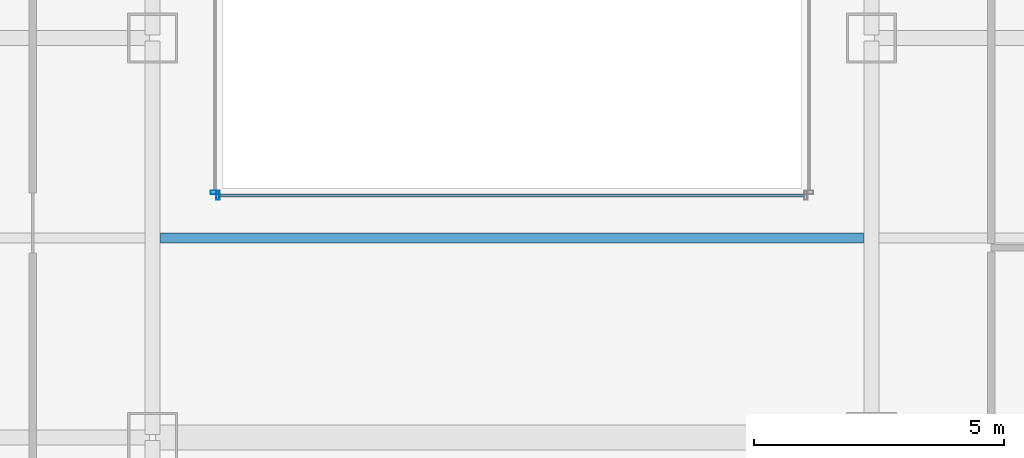
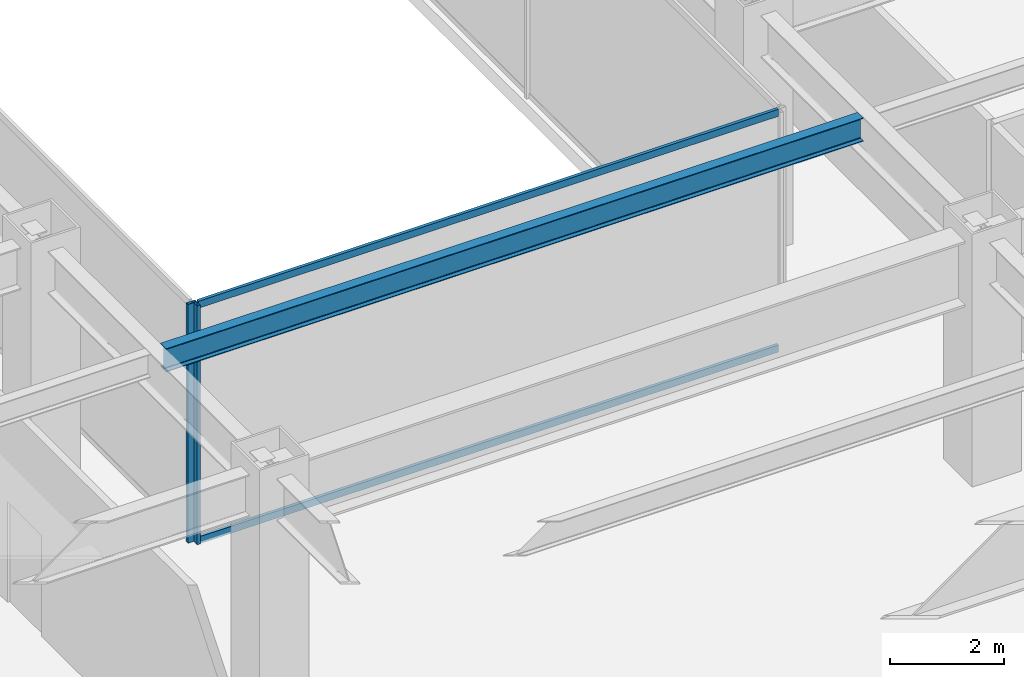
# One storey, part 12 of 51: 4 members, 1 beam, 2 elements without a shape of their own.
"""IFC4 building model written with IfcOpenShell, lengths in metres."""

from ifc_helpers import new_model, si_unit, direction, frame, origin, origin_2d, place, context, subcontext, project, spatial, hollow_rectangle, i_section, extrude, material, material_profile, profile_set, type_object, element, aggregate, save


model = new_model("IFC4")

# Units and contexts
model_context = context("Model", 3, precision=1e-05, world=origin(), true_north=direction((0.0, 1.0)))
body_context = subcontext(model_context, "Body", "Model", "MODEL_VIEW")
ifc_project = project(units=[si_unit("LENGTHUNIT", "METRE"), si_unit("AREAUNIT", "SQUARE_METRE"), si_unit("VOLUMEUNIT", "CUBIC_METRE"), si_unit("PLANEANGLEUNIT", "RADIAN"), si_unit("MASSUNIT", "GRAM", prefix="KILO")], contexts=[model_context])

# Site, building, storey
site_placement = place(None, origin())
site = spatial("IfcSite", under=ifc_project, at=site_placement, CompositionType="ELEMENT")
building_placement = place(site_placement, origin())
building = spatial("IfcBuilding", under=site, at=building_placement, Name="Saevonmaru Cultural Tower", CompositionType="ELEMENT")
storey_placement = place(building_placement, frame((0.0, 0.0, 6.0)))
storey = spatial("IfcBuildingStorey", under=building, at=storey_placement, Name="L01", CompositionType="ELEMENT", Elevation=6.0)

# Beam
ifc_material_1 = material(Name="Steel SM355", Category="steel")
ifc_material_profile_1 = material_profile(ifc_material_1, i_section(OverallWidth=0.199951171875, OverallDepth=0.5, WebThickness=0.010009765625, FlangeThickness=0.01611328125, FilletRadius=0.02001953125, at=origin_2d()), Name="H-500x200x10x16")
ifc_profile_set_1 = profile_set([ifc_material_profile_1], Name="Steel SM355")
beam_type = type_object("IfcBeamType", Name="BM-J-H500", PredefinedType="JOIST", material=ifc_profile_set_1)
beam_placement = place(storey_placement, frame((22.9580078125, 20.0, 4.85009765625), z_axis=(1.0, 0.0, 0.0), x_axis=(0.0, 1.0, 0.0)))
element("IfcBeam", 1, at=beam_placement, inside=storey, type_object=beam_type, Name="L01 Secondary Floor Joist JC-2", PredefinedType="JOIST", context=body_context, shape_type="SweptSolid", body=[
    extrude(i_section(OverallWidth=0.199951171875, OverallDepth=0.5, WebThickness=0.010009765625, FlangeThickness=0.01611328125, FilletRadius=0.02001953125, at=origin_2d()), origin(), (0.0, 0.0, 1.0), 14.083984375),
])

# Curtain wall, member
ifc_material_2 = material(Name="Satin Bronze Anodised Aluminium", Category="aluminium")
curtain_wall_type = type_object("IfcCurtainWallType", Name="CW-ATR-GLZ", PredefinedType="NOTDEFINED", material=ifc_material_2)
curtain_wall_1_placement = place(storey_placement, origin())
curtain_wall_1 = element("IfcCurtainWall", 2, at=curtain_wall_1_placement, inside=storey, type_object=curtain_wall_type, Name="L01 Vertical Atrium Glazed Smoke Screen 1", PredefinedType="NOTDEFINED")
ifc_material_profile_2 = material_profile(ifc_material_2, hollow_rectangle(XDim=0.06494140625, YDim=0.179931640625, WallThickness=0.00390625, at=origin_2d()), Name="ALU-MULL-180x65x4")
ifc_profile_set_2 = profile_set([ifc_material_profile_2], Name="Satin Bronze Anodised Aluminium")
member_type_1 = type_object("IfcMemberType", Name="ML-CW-INT-180x65", PredefinedType="MULLION", material=ifc_profile_set_2)
member_1_placement = place(storey_placement, frame((24.110107421875, 20.85009765625, 0.0), z_axis=(0.0, 0.0, 1.0), x_axis=(1.0, 0.0, 0.0)))
member_1 = element("IfcMember", 3, at=member_1_placement, type_object=member_type_1, Name="CW-ATR-L01-1 mullion 1", PredefinedType="MULLION", context=body_context, shape_type="SweptSolid", body=[
    extrude(hollow_rectangle(XDim=0.06494140625, YDim=0.179931640625, WallThickness=0.00390625, at=origin_2d()), origin(), (0.0, 0.0, 1.0), 5.10009765625),
])

curtain_wall_2_placement = place(storey_placement, origin())
curtain_wall_2 = element("IfcCurtainWall", 4, at=curtain_wall_2_placement, inside=storey, type_object=curtain_wall_type, Name="L01 Vertical Atrium Glazed Smoke Screen 4", PredefinedType="NOTDEFINED")
member_2_placement = place(storey_placement, frame((24.050048828125, 20.909912109375, 0.0), z_axis=(0.0, 0.0, 1.0), x_axis=(0.0, -1.0, 0.0)))
member_2 = element("IfcMember", 5, at=member_2_placement, type_object=member_type_1, Name="CW-ATR-L01-4 mullion 3", PredefinedType="MULLION", context=body_context, shape_type="SweptSolid", body=[
    extrude(hollow_rectangle(XDim=0.06494140625, YDim=0.179931640625, WallThickness=0.00390625, at=origin_2d()), origin(), (0.0, 0.0, 1.0), 5.10009765625),
])
aggregate(curtain_wall_2, [member_2])

# Member
ifc_material_profile_3 = material_profile(ifc_material_2, hollow_rectangle(XDim=0.06494140625, YDim=0.14990234375, WallThickness=0.00390625, at=origin_2d()), Name="ALU-TRAN-150x65x4")
ifc_profile_set_3 = profile_set([ifc_material_profile_3], Name="Satin Bronze Anodised Aluminium")
member_type_2 = type_object("IfcMemberType", Name="TR-CW-INT-150x65", PredefinedType="USERDEFINED", material=ifc_profile_set_3)
member_3_placement = place(storey_placement, frame((24.142578125, 20.85009765625, 0.032470703125), z_axis=(1.0, 0.0, 0.0), x_axis=(0.0, 1.0, 0.0)))
member_3 = element("IfcMember", 6, at=member_3_placement, type_object=member_type_2, Name="CW-ATR-L01-1 transom 1.1", ObjectType="TRANSOM", PredefinedType="USERDEFINED", context=body_context, shape_type="SweptSolid", body=[
    extrude(hollow_rectangle(XDim=0.06494140625, YDim=0.14990234375, WallThickness=0.00390625, at=origin_2d()), origin(), (0.0, 0.0, 1.0), 11.71484375),
])

member_4_placement = place(storey_placement, frame((24.142578125, 20.85009765625, 5.0673828125), z_axis=(1.0, 0.0, 0.0), x_axis=(0.0, 1.0, 0.0)))
member_4 = element("IfcMember", 7, at=member_4_placement, type_object=member_type_2, Name="CW-ATR-L01-1 transom 1.2", ObjectType="TRANSOM", PredefinedType="USERDEFINED", context=body_context, shape_type="SweptSolid", body=[
    extrude(hollow_rectangle(XDim=0.06494140625, YDim=0.14990234375, WallThickness=0.00390625, at=origin_2d()), origin(), (0.0, 0.0, 1.0), 11.71484375),
])

aggregate(curtain_wall_1, [member_1, member_3, member_4])

save(model, "model.ifc")
